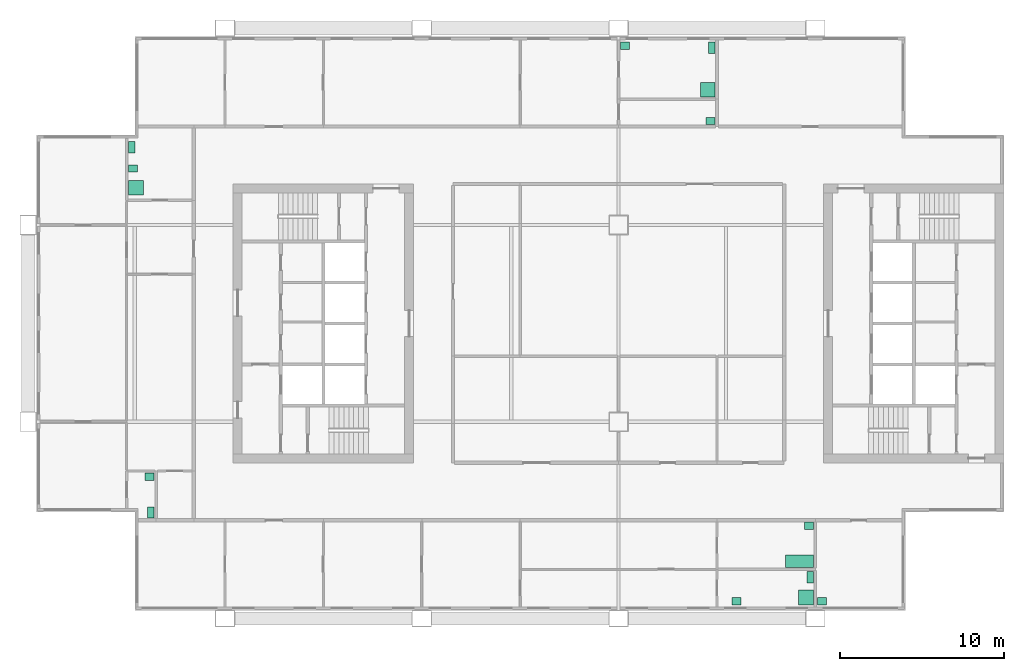
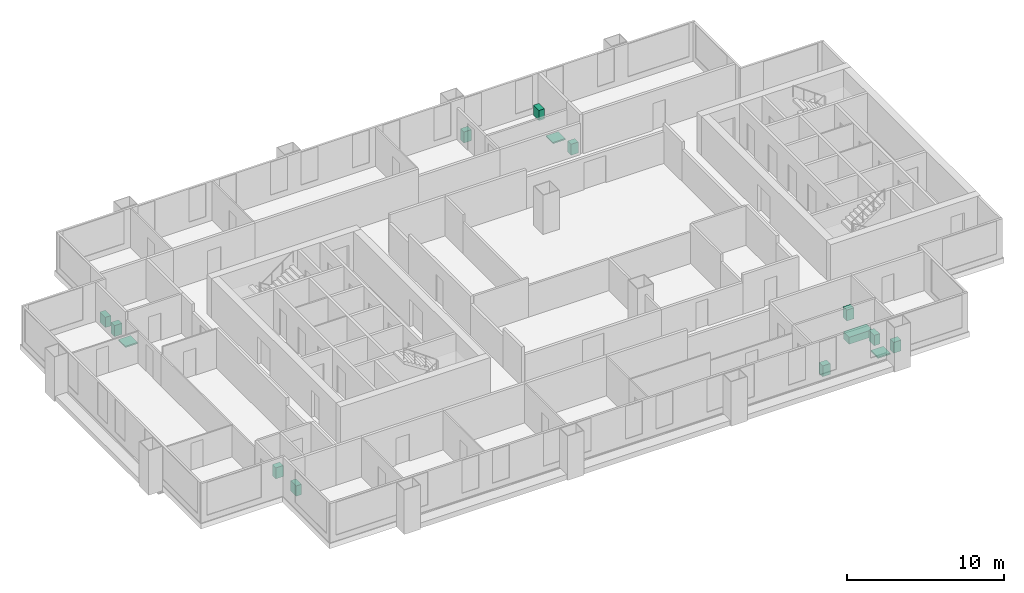
# One storey, part 9 of 9: 15 sanitary terminals.
"""IFC4 building model written with IfcOpenShell, lengths in metres."""

from ifc_helpers import new_model, si_unit, direction, frame, origin, origin_2d, place, context, subcontext, project, spatial, rectangle, extrude, material, type_object, element, save


model = new_model("IFC4")

# Units and contexts
model_context = context("Model", 3, precision=1e-05, world=origin(), true_north=direction((0.0, 1.0)))
body_context = subcontext(model_context, "Body", "Model", "MODEL_VIEW")
ifc_project = project(units=[si_unit("LENGTHUNIT", "METRE"), si_unit("AREAUNIT", "SQUARE_METRE"), si_unit("VOLUMEUNIT", "CUBIC_METRE"), si_unit("PLANEANGLEUNIT", "RADIAN"), si_unit("MASSUNIT", "GRAM", prefix="KILO")], contexts=[model_context])

# Site, building, storey
site_placement = place(None, origin())
site = spatial("IfcSite", under=ifc_project, at=site_placement, CompositionType="ELEMENT")
building_placement = place(site_placement, origin())
building = spatial("IfcBuilding", under=site, at=building_placement, Name="Kitamizu Gate Tower and Museum", CompositionType="ELEMENT")
storey_placement = place(building_placement, frame((0.0, 0.0, 196.199951171875)))
storey = spatial("IfcBuildingStorey", under=building, at=storey_placement, Name="L52", CompositionType="ELEMENT", Elevation=196.199951171875)

# Sanitary terminals
ifc_material_1 = material(Name="Acrylic")
sanitary_terminal_type_1 = type_object("IfcSanitaryTerminalType", Name="Bath", PredefinedType="BATH", material=ifc_material_1)
sanitary_terminal_placement = place(storey_placement, frame((47.030029296875, 15.4951171875, 0.0009765625), z_axis=(0.0, 0.0, 1.0), x_axis=(1.0, 0.0, 0.0)))
element("IfcSanitaryTerminal", 1, at=sanitary_terminal_placement, inside=storey, type_object=sanitary_terminal_type_1, Name="Bath Bathroom 52A", PredefinedType="BATH", context=body_context, shape_type="SweptSolid", body=[
    extrude(rectangle(XDim=1.699951171875, YDim=0.75, at=origin_2d()), origin(), (0.0, 0.0, 1.0), 0.550048828125),
])
ifc_material_2 = material(Name="Acrylic")
sanitary_terminal_type_2 = type_object("IfcSanitaryTerminalType", Name="Shower tray", PredefinedType="SHOWER", material=ifc_material_2)
for number, where, z_axis, x_axis, name in (
    (2, (47.429931640625, 13.2900390625, 0.0009765625), (0.0, 0.0, 1.0), (1.0, 0.0, 0.0), "Shower tray En-suite bathroom and WC 52A"),
    (3, (41.429931640625, 44.25, 0.0009765625), (0.0, 0.0, 1.0), (1.0, 0.0, 0.0), "Shower tray En-suite bathroom and WC 52B"),
    (4, (6.570068359375, 38.27001953125, 0.0009765625), (0.0, 0.0, 1.0), (1.0, 0.0, 0.0), "Shower tray En-suite bathroom 52D"),
):
    element("IfcSanitaryTerminal", number, at=place(storey_placement, frame(where, z_axis=z_axis, x_axis=x_axis)), inside=storey, type_object=sanitary_terminal_type_2, Name=name, PredefinedType="SHOWER", context=body_context, shape_type="SweptSolid", body=[
        extrude(rectangle(XDim=0.89990234375, YDim=0.89990234375, at=origin_2d()), origin(), (0.0, 0.0, 1.0), 0.10009765625),
    ])
ifc_material_3 = material(Name="Vitreous china")
sanitary_terminal_type_3 = type_object("IfcSanitaryTerminalType", Name="Wash hand basin", PredefinedType="WASHHANDBASIN", material=ifc_material_3)
for number, where, z_axis, x_axis, name in (
    (5, (43.195068359375, 13.06494140625, 0.0009765625), (0.0, 0.0, 1.0), (1.0, 0.0, 0.0), "Wash hand basin En-suite bathroom and WC 52A"),
    (6, (47.60498046875, 17.655029296875, 0.0009765625), (0.0, 0.0, 1.0), (1.0, 0.0, 0.0), "Wash hand basin Bathroom 52A"),
    (7, (48.39501953125, 13.06494140625, 0.0009765625), (0.0, 0.0, 1.0), (1.0, 0.0, 0.0), "Wash hand basin Hobby room 52A"),
    (8, (36.39501953125, 46.93505859375, 0.0009765625), (0.0, 0.0, 1.0), (1.0, 0.0, 0.0), "Wash hand basin En-suite bathroom and WC 52B"),
    (9, (41.60498046875, 42.344970703125, 0.0009765625), (0.0, 0.0, 1.0), (1.0, 0.0, 0.0), "Wash hand basin Wash room 52B"),
    (10, (7.405029296875, 20.655029296875, 0.0009765625), (0.0, 0.0, 1.0), (1.0, 0.0, 0.0), "Wash hand basin WC 52D"),
    (11, (6.39501953125, 39.445068359375, 0.0009765625), (0.0, 0.0, 1.0), (1.0, 0.0, 0.0), "Wash hand basin En-suite bathroom 52D"),
):
    element("IfcSanitaryTerminal", number, at=place(storey_placement, frame(where, z_axis=z_axis, x_axis=x_axis)), inside=storey, type_object=sanitary_terminal_type_3, Name=name, PredefinedType="WASHHANDBASIN", context=body_context, shape_type="SweptSolid", body=[
        extrude(rectangle(XDim=0.550048828125, YDim=0.449951171875, at=origin_2d()), origin(), (0.0, 0.0, 1.0), 0.85009765625),
    ])
ifc_material_4 = material(Name="Vitreous china")
sanitary_terminal_type_4 = type_object("IfcSanitaryTerminalType", Name="Water closet", PredefinedType="TOILETPAN", material=ifc_material_4)
for number, where, z_axis, x_axis, name in (
    (12, (47.679931640625, 14.530029296875, 0.0009765625), (0.0, 0.0, 1.0), (1.0, 0.0, 0.0), "Water closet En-suite bathroom and WC 52A"),
    (13, (41.679931640625, 46.81005859375, 0.0009765625), (0.0, 0.0, 1.0), (1.0, 0.0, 0.0), "Water closet En-suite bathroom and WC 52B"),
    (14, (7.47998046875, 18.469970703125, 0.0009765625), (0.0, 0.0, 1.0), (1.0, 0.0, 0.0), "Water closet WC 52D"),
    (15, (6.320068359375, 40.72998046875, 0.0009765625), (0.0, 0.0, 1.0), (1.0, 0.0, 0.0), "Water closet En-suite bathroom 52D"),
):
    element("IfcSanitaryTerminal", number, at=place(storey_placement, frame(where, z_axis=z_axis, x_axis=x_axis)), inside=storey, type_object=sanitary_terminal_type_4, Name=name, PredefinedType="TOILETPAN", context=body_context, shape_type="SweptSolid", body=[
        extrude(rectangle(XDim=0.39990234375, YDim=0.699951171875, at=origin_2d()), origin(), (0.0, 0.0, 1.0), 0.800048828125),
    ])

save(model, "model.ifc")
